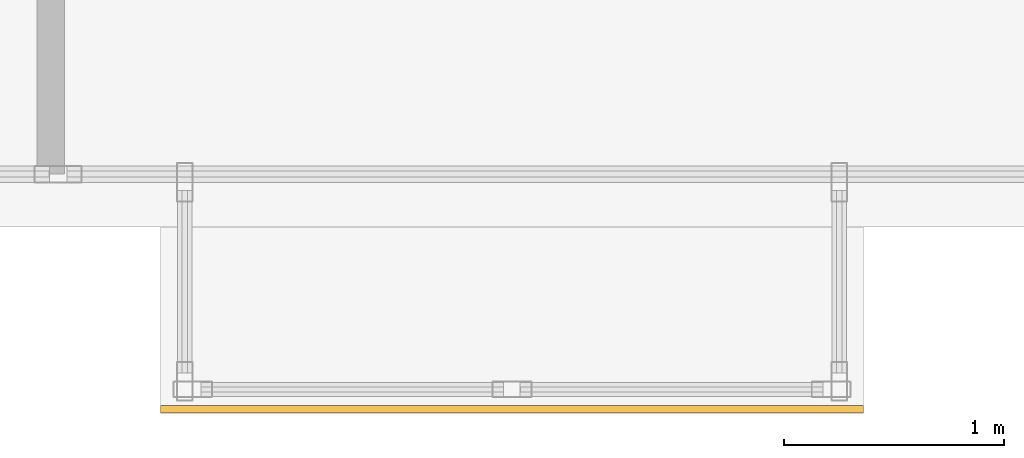
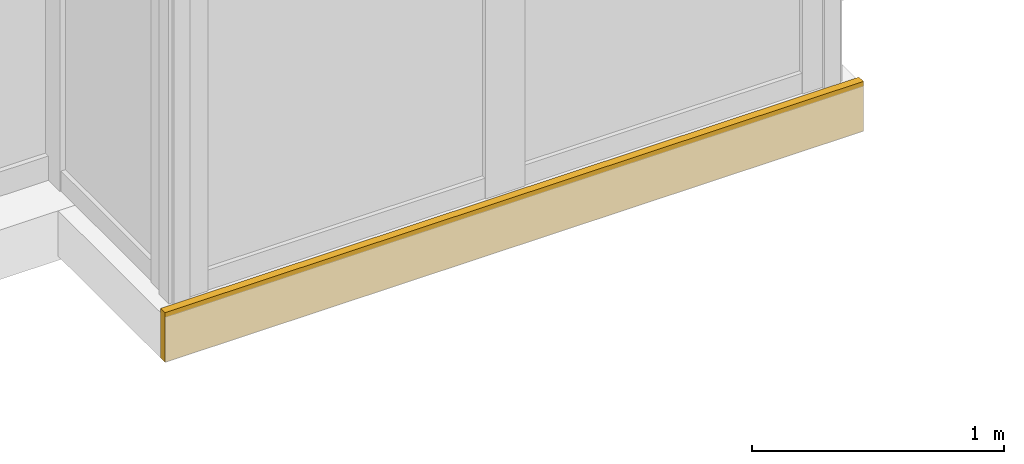
# One storey, part 23 of 24: 1 covering.
"""IFC4 building model written with IfcOpenShell, lengths in metres."""

from ifc_helpers import new_model, si_unit, direction, frame, origin, origin_2d, place, context, subcontext, project, spatial, rectangle, extrude, material, layer, layer_set, type_object, element, save


model = new_model("IFC4")

# Units and contexts
model_context = context("Model", 3, precision=1e-05, world=origin(), true_north=direction((0.0, 1.0)))
body_context = subcontext(model_context, "Body", "Model", "MODEL_VIEW")
ifc_project = project(units=[si_unit("LENGTHUNIT", "METRE"), si_unit("AREAUNIT", "SQUARE_METRE"), si_unit("VOLUMEUNIT", "CUBIC_METRE"), si_unit("PLANEANGLEUNIT", "RADIAN"), si_unit("MASSUNIT", "GRAM", prefix="KILO")], contexts=[model_context])

# Site, building, storey
site_placement = place(None, origin())
site = spatial("IfcSite", under=ifc_project, at=site_placement, CompositionType="ELEMENT")
building_placement = place(site_placement, origin())
building = spatial("IfcBuilding", under=site, at=building_placement, Name="Kolvaren Waterfront Exchange", CompositionType="ELEMENT")
storey_placement = place(building_placement, frame((0.0, 0.0, 238.699951171875)))
storey = spatial("IfcBuildingStorey", under=building, at=storey_placement, Name="L61", CompositionType="ELEMENT", Elevation=238.699951171875)

# Covering
ifc_material = material(Name="Anodised bronze fascia aluminium", Category="aluminium")
ifc_layer = layer(ifc_material, 0.034912109375, Name="Anodised bronze fascia aluminium")
ifc_layer_set = layer_set([ifc_layer], Name="Anodised bronze fascia aluminium")
covering_type = type_object("IfcCoveringType", Name="ARC-CLAD-BRONZE-35", PredefinedType="CLADDING", material=ifc_layer_set)
covering_placement = place(storey_placement, frame((36.300048828125, 2.77001953125, -0.2197265625), z_axis=(0.0, 0.0, 1.0), x_axis=(1.0, 0.0, 0.0)))
element("IfcCovering", 1, at=covering_placement, inside=storey, type_object=covering_type, Name="L61 ribbed anodised bronze bay-box fascia", PredefinedType="CLADDING", context=body_context, shape_type="SweptSolid", body=[
    extrude(rectangle(XDim=3.199951171875, YDim=0.034912109375, at=origin_2d()), origin(), (0.0, 0.0, 1.0), 0.239990234375),
])

save(model, "model.ifc")
